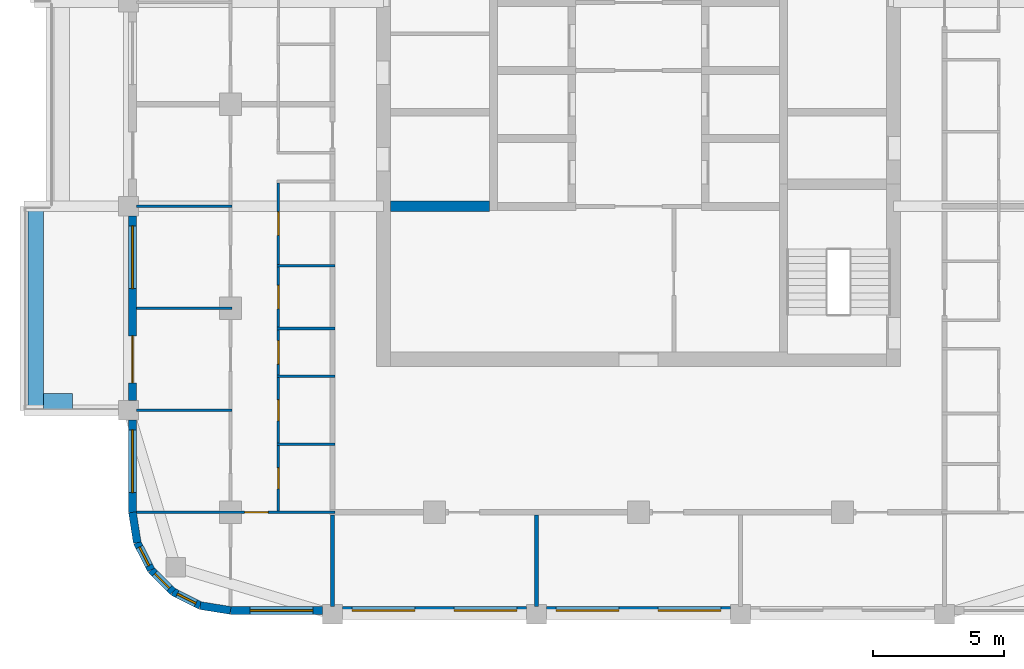
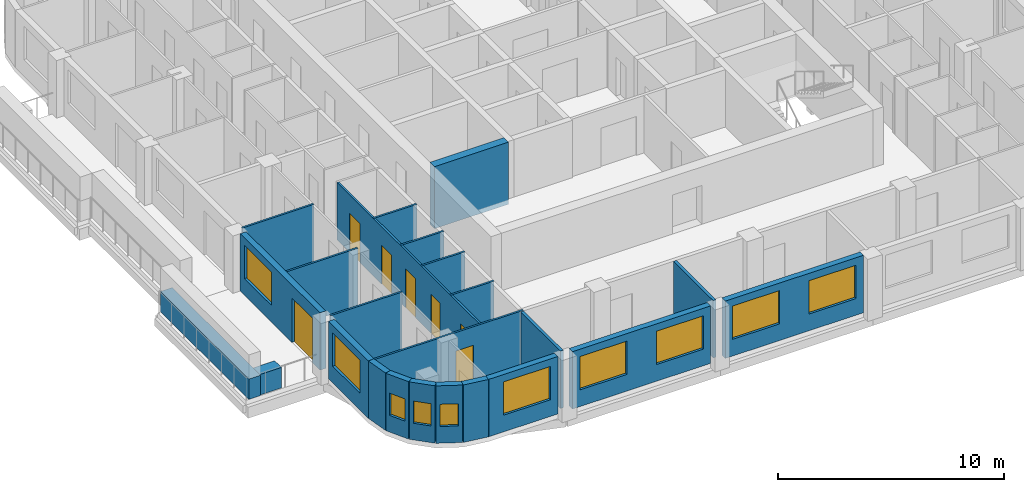
# One storey, part 2 of 13: 24 walls, 10 windows, 7 doors, 17 openings.
"""IFC4 building model written with IfcOpenShell, lengths in metres."""

from ifc_helpers import new_model, si_unit, direction, frame, frame_2d, origin, place, context, subcontext, project, spatial, rectangle, extrude, material, layer, layer_set, type_object, element, fill, save


model = new_model("IFC4")

# Units and contexts
model_context = context("Model", 3, precision=1e-05, world=origin(), true_north=direction((0.0, 1.0)))
body_context = subcontext(model_context, "Body", "Model", "MODEL_VIEW")
ifc_project = project(units=[si_unit("LENGTHUNIT", "METRE"), si_unit("AREAUNIT", "SQUARE_METRE"), si_unit("VOLUMEUNIT", "CUBIC_METRE"), si_unit("PLANEANGLEUNIT", "RADIAN"), si_unit("MASSUNIT", "GRAM", prefix="KILO")], contexts=[model_context])

# Site, building, storey
site_placement = place(None, origin())
site = spatial("IfcSite", under=ifc_project, at=site_placement, CompositionType="ELEMENT")
building_placement = place(site_placement, origin())
building = spatial("IfcBuilding", under=site, at=building_placement, Name="Ludao Terraces", CompositionType="ELEMENT")
storey_placement = place(building_placement, frame((0.0, 0.0, 189.39990234375)))
storey = spatial("IfcBuildingStorey", under=building, at=storey_placement, Name="L51", CompositionType="ELEMENT", Elevation=189.39990234375)

# Walls
ifc_material_1 = material(Name="Concrete C40", Category="concrete")
ifc_layer_1 = layer(ifc_material_1, 0.60009765625)
ifc_layer_set_1 = layer_set([ifc_layer_1], Name="ENV Planter trough 600")
wall_type_1 = type_object("IfcWallType", Name="ENV Planter trough 600", PredefinedType="USERDEFINED", material=ifc_layer_set_1)
wall_1_placement = place(storey_placement, frame((61.949951171875, 53.300048828125, 0.0), z_axis=(0.0, 0.0, 1.0), x_axis=(0.0, 1.0, 0.0)))
element("IfcWall", 1, at=wall_1_placement, inside=storey, type_object=wall_type_1, Name="PL-L51-W1", ObjectType="PLANTER", PredefinedType="USERDEFINED", context=body_context, shape_type="SweptSolid", body=[
    extrude(rectangle(XDim=7.800048828125, YDim=0.60009765625, at=frame_2d((3.89990234375, 0.0))), origin(), (0.0, 0.0, 1.0), 1.10009765625),
])
wall_2_placement = place(storey_placement, frame((62.25, 53.64990234375, 0.0), z_axis=(0.0, 0.0, 1.0), x_axis=(1.0, 0.0, 0.0)))
element("IfcWall", 2, at=wall_2_placement, inside=storey, type_object=wall_type_1, Name="PL-L51-W1-SA", ObjectType="PLANTER", PredefinedType="USERDEFINED", context=body_context, shape_type="SweptSolid", body=[
    extrude(rectangle(XDim=1.10009765625, YDim=0.60009765625, at=frame_2d((0.550048828125, 0.0))), origin(), (0.0, 0.0, 1.0), 1.10009765625),
])

# Wall, opening, window
ifc_material_2 = material(Name="Granite cladding", Category="masonry")
ifc_layer_2 = layer(ifc_material_2, 0.0400390625, Category="stone")
ifc_material_3 = material(Name="Mineral wool")
ifc_layer_3 = layer(ifc_material_3, 0.06005859375)
ifc_layer_4 = layer(ifc_material_1, 0.199951171875, Category="concrete")
ifc_layer_set_2 = layer_set([ifc_layer_2, ifc_layer_3, ifc_layer_4], Name="ENV Stone-clad wall 300")
wall_type_2 = type_object("IfcWallType", Name="ENV Stone-clad wall 300", PredefinedType="SOLIDWALL", material=ifc_layer_set_2)
wall_3_placement = place(storey_placement, frame((69.39990234375, 45.64990234375, 0.0), z_axis=(0.0, 0.0, 1.0), x_axis=(1.0, 0.0, 0.0)))
wall_3 = element("IfcWall", 3, at=wall_3_placement, inside=storey, type_object=wall_type_2, Name="EW-L51-S1", PredefinedType="SOLIDWALL", context=body_context, shape_type="SweptSolid", body=[
    extrude(rectangle(XDim=3.525146484375, YDim=0.300048828125, at=frame_2d((1.7626953125, 0.0))), origin(), (0.0, 0.0, 1.0), 3.10009765625),
])
opening_1_placement = place(wall_3_placement, frame((0.75, 0.0, 0.89990234375)))
opening_1 = element("IfcOpeningElement", 4, at=opening_1_placement, cuts=wall_3, Name="Opening W1", PredefinedType="OPENING", context=body_context, shape_type="SweptSolid", body=[
    extrude(rectangle(XDim=2.39990234375, YDim=1.800048828125, at=frame_2d((1.199951171875, 0.89990234375))), frame((0.0, 0.16015625, 0.0), z_axis=(0.0, -1.0, 0.0), x_axis=(1.0, 0.0, 0.0)), (0.0, 0.0, 1.0), 0.320068359375),
])
ifc_material_4 = material(Name="Clear glass in aluminium frame", Category="aluminium")
ifc_layer_5 = layer(ifc_material_4, 0.06005859375)
ifc_layer_set_3 = layer_set([ifc_layer_5], Name="ENV Window W1 2400x1800")
window_type_1 = type_object("IfcWindowType", Name="ENV Window W1 2400x1800", PartitioningType="DOUBLE_PANEL_VERTICAL", PredefinedType="WINDOW", material=ifc_layer_set_3)
window_1_placement = place(opening_1_placement, origin())
window_1 = element("IfcWindow", 5, at=window_1_placement, inside=storey, type_object=window_type_1, Name="W-L51-S1-1", OverallHeight=1.800048828125, OverallWidth=2.39990234375, PartitioningType="DOUBLE_PANEL_VERTICAL", PredefinedType="WINDOW", context=body_context, shape_type="SweptSolid", body=[
    extrude(rectangle(XDim=2.39990234375, YDim=1.800048828125, at=frame_2d((1.199951171875, 0.89990234375))), frame((0.0, 0.030029296875, 0.0), z_axis=(0.0, -1.0, 0.0), x_axis=(1.0, 0.0, 0.0)), (0.0, 0.0, 1.0), 0.06005859375),
])
fill(opening_1, window_1)

# Wall, openings, windows
wall_4_placement = place(storey_placement, frame((73.675048828125, 45.64990234375, 0.0), z_axis=(0.0, 0.0, 1.0), x_axis=(1.0, 0.0, 0.0)))
wall_4 = element("IfcWall", 6, at=wall_4_placement, inside=storey, type_object=wall_type_2, Name="EW-L51-S2", PredefinedType="SOLIDWALL", context=body_context, shape_type="SweptSolid", body=[
    extrude(rectangle(XDim=7.050048828125, YDim=0.300048828125, at=frame_2d((3.52490234375, 0.0))), origin(), (0.0, 0.0, 1.0), 3.10009765625),
])
opening_2_placement = place(wall_4_placement, frame((0.375, 0.0, 0.89990234375)))
opening_2 = element("IfcOpeningElement", 7, at=opening_2_placement, cuts=wall_4, Name="Opening W1", PredefinedType="OPENING", context=body_context, shape_type="SweptSolid", body=[
    extrude(rectangle(XDim=2.39990234375, YDim=1.800048828125, at=frame_2d((1.199951171875, 0.89990234375))), frame((0.0, 0.16015625, 0.0), z_axis=(0.0, -1.0, 0.0), x_axis=(1.0, 0.0, 0.0)), (0.0, 0.0, 1.0), 0.320068359375),
])
opening_3_placement = place(wall_4_placement, frame((4.27490234375, 0.0, 0.89990234375)))
opening_3 = element("IfcOpeningElement", 8, at=opening_3_placement, cuts=wall_4, Name="Opening W1", PredefinedType="OPENING", context=body_context, shape_type="SweptSolid", body=[
    extrude(rectangle(XDim=2.39990234375, YDim=1.800048828125, at=frame_2d((1.199951171875, 0.89990234375))), frame((0.0, 0.16015625, 0.0), z_axis=(0.0, -1.0, 0.0), x_axis=(1.0, 0.0, 0.0)), (0.0, 0.0, 1.0), 0.320068359375),
])
window_2_placement = place(opening_2_placement, origin())
window_2 = element("IfcWindow", 9, at=window_2_placement, inside=storey, type_object=window_type_1, Name="W-L51-S2-1", OverallHeight=1.800048828125, OverallWidth=2.39990234375, PartitioningType="DOUBLE_PANEL_VERTICAL", PredefinedType="WINDOW", context=body_context, shape_type="SweptSolid", body=[
    extrude(rectangle(XDim=2.39990234375, YDim=1.800048828125, at=frame_2d((1.199951171875, 0.89990234375))), frame((0.0, 0.030029296875, 0.0), z_axis=(0.0, -1.0, 0.0), x_axis=(1.0, 0.0, 0.0)), (0.0, 0.0, 1.0), 0.06005859375),
])
fill(opening_2, window_2)
window_3_placement = place(opening_3_placement, origin())
window_3 = element("IfcWindow", 10, at=window_3_placement, inside=storey, type_object=window_type_1, Name="W-L51-S2-2", OverallHeight=1.800048828125, OverallWidth=2.39990234375, PartitioningType="DOUBLE_PANEL_VERTICAL", PredefinedType="WINDOW", context=body_context, shape_type="SweptSolid", body=[
    extrude(rectangle(XDim=2.39990234375, YDim=1.800048828125, at=frame_2d((1.199951171875, 0.89990234375))), frame((0.0, 0.030029296875, 0.0), z_axis=(0.0, -1.0, 0.0), x_axis=(1.0, 0.0, 0.0)), (0.0, 0.0, 1.0), 0.06005859375),
])
fill(opening_3, window_3)

wall_5_placement = place(storey_placement, frame((81.47509765625, 45.64990234375, 0.0), z_axis=(0.0, 0.0, 1.0), x_axis=(1.0, 0.0, 0.0)))
wall_5 = element("IfcWall", 11, at=wall_5_placement, inside=storey, type_object=wall_type_2, Name="EW-L51-S3", PredefinedType="SOLIDWALL", context=body_context, shape_type="SweptSolid", body=[
    extrude(rectangle(XDim=7.0498046875, YDim=0.300048828125, at=frame_2d((3.52490234375, 0.0))), origin(), (0.0, 0.0, 1.0), 3.10009765625),
])
opening_4_placement = place(wall_5_placement, frame((0.375, 0.0, 0.89990234375)))
opening_4 = element("IfcOpeningElement", 12, at=opening_4_placement, cuts=wall_5, Name="Opening W1", PredefinedType="OPENING", context=body_context, shape_type="SweptSolid", body=[
    extrude(rectangle(XDim=2.39990234375, YDim=1.800048828125, at=frame_2d((1.199951171875, 0.89990234375))), frame((0.0, 0.16015625, 0.0), z_axis=(0.0, -1.0, 0.0), x_axis=(1.0, 0.0, 0.0)), (0.0, 0.0, 1.0), 0.320068359375),
])
opening_5_placement = place(wall_5_placement, frame((4.27490234375, 0.0, 0.89990234375)))
opening_5 = element("IfcOpeningElement", 13, at=opening_5_placement, cuts=wall_5, Name="Opening W1", PredefinedType="OPENING", context=body_context, shape_type="SweptSolid", body=[
    extrude(rectangle(XDim=2.39990234375, YDim=1.800048828125, at=frame_2d((1.199951171875, 0.89990234375))), frame((0.0, 0.16015625, 0.0), z_axis=(0.0, -1.0, 0.0), x_axis=(1.0, 0.0, 0.0)), (0.0, 0.0, 1.0), 0.320068359375),
])
window_4_placement = place(opening_4_placement, origin())
window_4 = element("IfcWindow", 14, at=window_4_placement, inside=storey, type_object=window_type_1, Name="W-L51-S3-1", OverallHeight=1.800048828125, OverallWidth=2.39990234375, PartitioningType="DOUBLE_PANEL_VERTICAL", PredefinedType="WINDOW", context=body_context, shape_type="SweptSolid", body=[
    extrude(rectangle(XDim=2.39990234375, YDim=1.800048828125, at=frame_2d((1.199951171875, 0.89990234375))), frame((0.0, 0.030029296875, 0.0), z_axis=(0.0, -1.0, 0.0), x_axis=(1.0, 0.0, 0.0)), (0.0, 0.0, 1.0), 0.06005859375),
])
fill(opening_4, window_4)
window_5_placement = place(opening_5_placement, origin())
window_5 = element("IfcWindow", 15, at=window_5_placement, inside=storey, type_object=window_type_1, Name="W-L51-S3-2", OverallHeight=1.800048828125, OverallWidth=2.39990234375, PartitioningType="DOUBLE_PANEL_VERTICAL", PredefinedType="WINDOW", context=body_context, shape_type="SweptSolid", body=[
    extrude(rectangle(XDim=2.39990234375, YDim=1.800048828125, at=frame_2d((1.199951171875, 0.89990234375))), frame((0.0, 0.030029296875, 0.0), z_axis=(0.0, -1.0, 0.0), x_axis=(1.0, 0.0, 0.0)), (0.0, 0.0, 1.0), 0.06005859375),
])
fill(opening_5, window_5)

# Wall, opening, window
wall_6_placement = place(storey_placement, frame((65.64990234375, 49.39990234375, 0.0), z_axis=(0.0, 0.0, 1.0), x_axis=(0.0, 1.0, 0.0)))
wall_6 = element("IfcWall", 16, at=wall_6_placement, inside=storey, type_object=wall_type_2, Name="EW-L51-W1", PredefinedType="SOLIDWALL", context=body_context, shape_type="SweptSolid", body=[
    extrude(rectangle(XDim=3.525146484375, YDim=0.300048828125, at=frame_2d((1.7626953125, 0.0))), origin(), (0.0, 0.0, 1.0), 3.10009765625),
])
opening_6_placement = place(wall_6_placement, frame((0.75, 0.0, 0.89990234375)))
opening_6 = element("IfcOpeningElement", 17, at=opening_6_placement, cuts=wall_6, Name="Opening W1", PredefinedType="OPENING", context=body_context, shape_type="SweptSolid", body=[
    extrude(rectangle(XDim=2.39990234375, YDim=1.800048828125, at=frame_2d((1.199951171875, 0.89990234375))), frame((0.0, 0.16015625, 0.0), z_axis=(0.0, -1.0, 0.0), x_axis=(1.0, 0.0, 0.0)), (0.0, 0.0, 1.0), 0.320068359375),
])
window_6_placement = place(opening_6_placement, origin())
window_6 = element("IfcWindow", 18, at=window_6_placement, inside=storey, type_object=window_type_1, Name="W-L51-W1-1", OverallHeight=1.800048828125, OverallWidth=2.39990234375, PartitioningType="DOUBLE_PANEL_VERTICAL", PredefinedType="WINDOW", context=body_context, shape_type="SweptSolid", body=[
    extrude(rectangle(XDim=2.39990234375, YDim=1.800048828125, at=frame_2d((1.199951171875, 0.89990234375))), frame((0.0, 0.030029296875, 0.0), z_axis=(0.0, -1.0, 0.0), x_axis=(1.0, 0.0, 0.0)), (0.0, 0.0, 1.0), 0.06005859375),
])
fill(opening_6, window_6)

# Wall, openings, door, window
wall_7_placement = place(storey_placement, frame((65.64990234375, 53.675048828125, 0.0), z_axis=(0.0, 0.0, 1.0), x_axis=(0.0, 1.0, 0.0)))
wall_7 = element("IfcWall", 19, at=wall_7_placement, inside=storey, type_object=wall_type_2, Name="EW-L51-W2", PredefinedType="SOLIDWALL", context=body_context, shape_type="SweptSolid", body=[
    extrude(rectangle(XDim=7.050048828125, YDim=0.300048828125, at=frame_2d((3.52490234375, 0.0))), origin(), (0.0, 0.0, 1.0), 3.10009765625),
])
opening_7_placement = place(wall_7_placement, frame((0.675048828125, 0.0, 0.0)))
opening_7 = element("IfcOpeningElement", 20, at=opening_7_placement, cuts=wall_7, Name="Opening BD", PredefinedType="OPENING", context=body_context, shape_type="SweptSolid", body=[
    extrude(rectangle(XDim=1.800048828125, YDim=2.39990234375, at=frame_2d((0.89990234375, 1.199951171875))), frame((0.0, 0.16015625, 0.0), z_axis=(0.0, -1.0, 0.0), x_axis=(1.0, 0.0, 0.0)), (0.0, 0.0, 1.0), 0.320068359375),
])
opening_8_placement = place(wall_7_placement, frame((4.27490234375, 0.0, 0.89990234375)))
opening_8 = element("IfcOpeningElement", 21, at=opening_8_placement, cuts=wall_7, Name="Opening W1", PredefinedType="OPENING", context=body_context, shape_type="SweptSolid", body=[
    extrude(rectangle(XDim=2.39990234375, YDim=1.800048828125, at=frame_2d((1.199951171875, 0.89990234375))), frame((0.0, 0.16015625, 0.0), z_axis=(0.0, -1.0, 0.0), x_axis=(1.0, 0.0, 0.0)), (0.0, 0.0, 1.0), 0.320068359375),
])
ifc_material_5 = material(Name="Aluminium glazed door", Category="aluminium")
ifc_layer_6 = layer(ifc_material_5, 0.06005859375)
ifc_layer_set_4 = layer_set([ifc_layer_6], Name="ENV Balcony door BD 1800x2400")
door_type_1 = type_object("IfcDoorType", Name="ENV Balcony door BD 1800x2400", OperationType="DOUBLE_DOOR_SINGLE_SWING", PredefinedType="DOOR", material=ifc_layer_set_4)
door_1_placement = place(opening_7_placement, origin())
door_1 = element("IfcDoor", 22, at=door_1_placement, inside=storey, type_object=door_type_1, Name="BD-L51-W2-1", OperationType="DOUBLE_DOOR_SINGLE_SWING", OverallHeight=2.39990234375, OverallWidth=1.800048828125, PredefinedType="DOOR", context=body_context, shape_type="SweptSolid", body=[
    extrude(rectangle(XDim=1.800048828125, YDim=2.39990234375, at=frame_2d((0.89990234375, 1.199951171875))), frame((0.0, 0.02490234375, 0.0), z_axis=(0.0, -1.0, 0.0), x_axis=(1.0, 0.0, 0.0)), (0.0, 0.0, 1.0), 0.050048828125),
])
fill(opening_7, door_1)
window_7_placement = place(opening_8_placement, origin())
window_7 = element("IfcWindow", 23, at=window_7_placement, inside=storey, type_object=window_type_1, Name="W-L51-W2-2", OverallHeight=1.800048828125, OverallWidth=2.39990234375, PartitioningType="DOUBLE_PANEL_VERTICAL", PredefinedType="WINDOW", context=body_context, shape_type="SweptSolid", body=[
    extrude(rectangle(XDim=2.39990234375, YDim=1.800048828125, at=frame_2d((1.199951171875, 0.89990234375))), frame((0.0, 0.030029296875, 0.0), z_axis=(0.0, -1.0, 0.0), x_axis=(1.0, 0.0, 0.0)), (0.0, 0.0, 1.0), 0.06005859375),
])
fill(opening_8, window_7)

# Wall
wall_8_placement = place(storey_placement, frame((65.64990234375, 49.39990234375, 0.0), z_axis=(0.0, 0.0, 1.0), x_axis=(0.156496880861, -0.987678452879, 0.0)))
element("IfcWall", 24, at=wall_8_placement, inside=storey, type_object=wall_type_2, Name="EW-L51-SW1", PredefinedType="SOLIDWALL", context=body_context, shape_type="SweptSolid", body=[
    extrude(rectangle(XDim=1.173095703125, YDim=0.300048828125, at=frame_2d((0.58642578125, 0.0))), origin(), (0.0, 0.0, 1.0), 3.10009765625),
])

# Wall, opening, window
wall_9_placement = place(storey_placement, frame((65.83349609375, 48.2412109375, 0.0), z_axis=(0.0, 0.0, 1.0), x_axis=(0.454025524128, -0.890988677504, 0.0)))
wall_9 = element("IfcWall", 25, at=wall_9_placement, inside=storey, type_object=wall_type_2, Name="EW-L51-SW2", PredefinedType="SOLIDWALL", context=body_context, shape_type="SweptSolid", body=[
    extrude(rectangle(XDim=1.17333984375, YDim=0.300048828125, at=frame_2d((0.586669921875, 0.0))), origin(), (0.0, 0.0, 1.0), 3.10009765625),
])
opening_9_placement = place(wall_9_placement, frame((0.1865234375, 0.0, 0.89990234375)))
opening_9 = element("IfcOpeningElement", 26, at=opening_9_placement, cuts=wall_9, Name="Opening W3", PredefinedType="OPENING", context=body_context, shape_type="SweptSolid", body=[
    extrude(rectangle(XDim=0.800048828125, YDim=1.199951171875, at=frame_2d((0.39990234375, 0.60009765625))), frame((0.0, 0.16015625, 0.0), z_axis=(0.0, -1.0, 0.0), x_axis=(1.0, 0.0, 0.0)), (0.0, 0.0, 1.0), 0.320068359375),
])
ifc_layer_7 = layer(ifc_material_4, 0.06005859375)
ifc_layer_set_5 = layer_set([ifc_layer_7], Name="ENV Window W3 800x1200")
window_type_2 = type_object("IfcWindowType", Name="ENV Window W3 800x1200", PartitioningType="SINGLE_PANEL", PredefinedType="WINDOW", material=ifc_layer_set_5)
window_8_placement = place(opening_9_placement, origin())
window_8 = element("IfcWindow", 27, at=window_8_placement, inside=storey, type_object=window_type_2, Name="W-L51-SW2", OverallHeight=1.199951171875, OverallWidth=0.800048828125, PartitioningType="SINGLE_PANEL", PredefinedType="WINDOW", context=body_context, shape_type="SweptSolid", body=[
    extrude(rectangle(XDim=0.800048828125, YDim=1.199951171875, at=frame_2d((0.39990234375, 0.60009765625))), frame((0.0, 0.030029296875, 0.0), z_axis=(0.0, -1.0, 0.0), x_axis=(1.0, 0.0, 0.0)), (0.0, 0.0, 1.0), 0.06005859375),
])
fill(opening_9, window_8)

wall_10_placement = place(storey_placement, frame((66.3662109375, 47.19580078125, 0.0), z_axis=(0.0, 0.0, 1.0), x_axis=(0.707106781187, -0.707106781187, 0.0)))
wall_10 = element("IfcWall", 28, at=wall_10_placement, inside=storey, type_object=wall_type_2, Name="EW-L51-SW3", PredefinedType="SOLIDWALL", context=body_context, shape_type="SweptSolid", body=[
    extrude(rectangle(XDim=1.173095703125, YDim=0.300048828125, at=frame_2d((0.58642578125, 0.0))), origin(), (0.0, 0.0, 1.0), 3.10009765625),
])
opening_10_placement = place(wall_10_placement, frame((0.1865234375, 0.0, 0.89990234375)))
opening_10 = element("IfcOpeningElement", 29, at=opening_10_placement, cuts=wall_10, Name="Opening W3", PredefinedType="OPENING", context=body_context, shape_type="SweptSolid", body=[
    extrude(rectangle(XDim=0.800048828125, YDim=1.199951171875, at=frame_2d((0.39990234375, 0.60009765625))), frame((0.0, 0.16015625, 0.0), z_axis=(0.0, -1.0, 0.0), x_axis=(1.0, 0.0, 0.0)), (0.0, 0.0, 1.0), 0.320068359375),
])
window_9_placement = place(opening_10_placement, origin())
window_9 = element("IfcWindow", 30, at=window_9_placement, inside=storey, type_object=window_type_2, Name="W-L51-SW3", OverallHeight=1.199951171875, OverallWidth=0.800048828125, PartitioningType="SINGLE_PANEL", PredefinedType="WINDOW", context=body_context, shape_type="SweptSolid", body=[
    extrude(rectangle(XDim=0.800048828125, YDim=1.199951171875, at=frame_2d((0.39990234375, 0.60009765625))), frame((0.0, 0.030029296875, 0.0), z_axis=(0.0, -1.0, 0.0), x_axis=(1.0, 0.0, 0.0)), (0.0, 0.0, 1.0), 0.06005859375),
])
fill(opening_10, window_9)

wall_11_placement = place(storey_placement, frame((67.19580078125, 46.3662109375, 0.0), z_axis=(0.0, 0.0, 1.0), x_axis=(0.890988677504, -0.454025524128, 0.0)))
wall_11 = element("IfcWall", 31, at=wall_11_placement, inside=storey, type_object=wall_type_2, Name="EW-L51-SW4", PredefinedType="SOLIDWALL", context=body_context, shape_type="SweptSolid", body=[
    extrude(rectangle(XDim=1.17333984375, YDim=0.300048828125, at=frame_2d((0.586669921875, 0.0))), origin(), (0.0, 0.0, 1.0), 3.10009765625),
])
opening_11_placement = place(wall_11_placement, frame((0.1865234375, 0.0, 0.89990234375)))
opening_11 = element("IfcOpeningElement", 32, at=opening_11_placement, cuts=wall_11, Name="Opening W3", PredefinedType="OPENING", context=body_context, shape_type="SweptSolid", body=[
    extrude(rectangle(XDim=0.800048828125, YDim=1.199951171875, at=frame_2d((0.39990234375, 0.60009765625))), frame((0.0, 0.16015625, 0.0), z_axis=(0.0, -1.0, 0.0), x_axis=(1.0, 0.0, 0.0)), (0.0, 0.0, 1.0), 0.320068359375),
])
window_10_placement = place(opening_11_placement, origin())
window_10 = element("IfcWindow", 33, at=window_10_placement, inside=storey, type_object=window_type_2, Name="W-L51-SW4", OverallHeight=1.199951171875, OverallWidth=0.800048828125, PartitioningType="SINGLE_PANEL", PredefinedType="WINDOW", context=body_context, shape_type="SweptSolid", body=[
    extrude(rectangle(XDim=0.800048828125, YDim=1.199951171875, at=frame_2d((0.39990234375, 0.60009765625))), frame((0.0, 0.030029296875, 0.0), z_axis=(0.0, -1.0, 0.0), x_axis=(1.0, 0.0, 0.0)), (0.0, 0.0, 1.0), 0.06005859375),
])
fill(opening_11, window_10)

# Wall
wall_12_placement = place(storey_placement, frame((68.2412109375, 45.83349609375, 0.0), z_axis=(0.0, 0.0, 1.0), x_axis=(0.987678452879, -0.156496880861, 0.0)))
element("IfcWall", 34, at=wall_12_placement, inside=storey, type_object=wall_type_2, Name="EW-L51-SW5", PredefinedType="SOLIDWALL", context=body_context, shape_type="SweptSolid", body=[
    extrude(rectangle(XDim=1.173095703125, YDim=0.300048828125, at=frame_2d((0.58642578125, 0.0))), origin(), (0.0, 0.0, 1.0), 3.10009765625),
])

# Wall, opening, door
ifc_material_6 = material(Name="Gypsum plasterboard", Category="gypsum")
ifc_layer_8 = layer(ifc_material_6, 0.012451171875, Category="gypsum")
ifc_layer_9 = layer(ifc_material_3, 0.06005859375, Name="insulation")
ifc_material_7 = material(Name="Steel Q235", Category="steel")
ifc_layer_10 = layer(ifc_material_7, 0.014892578125, Name="stud")
ifc_layer_11 = layer(ifc_material_6, 0.012451171875, Category="gypsum")
ifc_layer_set_6 = layer_set([ifc_layer_8, ifc_layer_9, ifc_layer_10, ifc_layer_11], Name="INT Partition 100")
wall_type_3 = type_object("IfcWallType", Name="INT Partition 100", PredefinedType="PARTITIONING", material=ifc_layer_set_6)
wall_13_placement = place(storey_placement, frame((65.800048828125, 49.39990234375, 0.0), z_axis=(0.0, 0.0, 1.0), x_axis=(1.0, 0.0, 0.0)))
wall_13 = element("IfcWall", 35, at=wall_13_placement, inside=storey, type_object=wall_type_3, Name="PW-L51-PW000", PredefinedType="PARTITIONING", context=body_context, shape_type="SweptSolid", body=[
    extrude(rectangle(XDim=7.60009765625, YDim=0.10009765625, at=frame_2d((3.800048828125, 0.0))), origin(), (0.0, 0.0, 1.0), 3.10009765625),
])
opening_12_placement = place(wall_13_placement, frame((4.139892578125, 0.0, 0.0)))
opening_12 = element("IfcOpeningElement", 36, at=opening_12_placement, cuts=wall_13, Name="Opening R18-003", PredefinedType="OPENING", context=body_context, shape_type="SweptSolid", body=[
    extrude(rectangle(XDim=0.89990234375, YDim=2.10009765625, at=frame_2d((0.449951171875, 1.050048828125))), frame((0.0, 0.06005859375, 0.0), z_axis=(0.0, -1.0, 0.0), x_axis=(1.0, 0.0, 0.0)), (0.0, 0.0, 1.0), 0.1201171875),
])
ifc_material_8 = material(Name="Timber door leaf", Category="wood")
door_type_2 = type_object("IfcDoorType", Name="INT Room door 900", OperationType="SINGLE_SWING_LEFT", PredefinedType="DOOR", material=ifc_material_8)
door_2_placement = place(opening_12_placement, origin())
door_2 = element("IfcDoor", 37, at=door_2_placement, inside=storey, type_object=door_type_2, Name="DOOR 003", OperationType="SINGLE_SWING_RIGHT", OverallHeight=2.10009765625, OverallWidth=0.89990234375, PredefinedType="DOOR", context=body_context, shape_type="SweptSolid", body=[
    extrude(rectangle(XDim=0.89990234375, YDim=2.10009765625, at=frame_2d((0.449951171875, 1.050048828125))), frame((0.0, 0.02490234375, 0.0), z_axis=(0.0, -1.0, 0.0), x_axis=(1.0, 0.0, 0.0)), (0.0, 0.0, 1.0), 0.050048828125),
])
fill(opening_12, door_2)

# Walls
wall_14_placement = place(storey_placement, frame((71.18017578125, 52.0, 0.0), z_axis=(0.0, 0.0, 1.0), x_axis=(1.0, 0.0, 0.0)))
element("IfcWall", 38, at=wall_14_placement, inside=storey, type_object=wall_type_3, Name="PW-L51-PW004", PredefinedType="PARTITIONING", context=body_context, shape_type="SweptSolid", body=[
    extrude(rectangle(XDim=2.219970703125, YDim=0.10009765625, at=frame_2d((1.10986328125, 0.0))), origin(), (0.0, 0.0, 1.0), 3.10009765625),
])
wall_15_placement = place(storey_placement, frame((65.800048828125, 53.300048828125, 0.0), z_axis=(0.0, 0.0, 1.0), x_axis=(1.0, 0.0, 0.0)))
element("IfcWall", 39, at=wall_15_placement, inside=storey, type_object=wall_type_3, Name="PW-L51-PW006", PredefinedType="PARTITIONING", context=body_context, shape_type="SweptSolid", body=[
    extrude(rectangle(XDim=3.650146484375, YDim=0.10009765625, at=frame_2d((1.8251953125, 0.0))), origin(), (0.0, 0.0, 1.0), 3.10009765625),
])
for number, where, z_axis, x_axis, name in (
    (40, (71.18017578125, 54.60009765625, 0.0), (0.0, 0.0, 1.0), (1.0, 0.0, 0.0), "PW-L51-PW008"),
    (41, (71.18017578125, 56.429931640625, 0.0), (0.0, 0.0, 1.0), (1.0, 0.0, 0.0), "PW-L51-PW010"),
):
    element("IfcWall", number, at=place(storey_placement, frame(where, z_axis=z_axis, x_axis=x_axis)), inside=storey, type_object=wall_type_3, Name=name, PredefinedType="PARTITIONING", context=body_context, shape_type="SweptSolid", body=[
        extrude(rectangle(XDim=2.219970703125, YDim=0.10009765625, at=frame_2d((1.10986328125, 0.0))), origin(), (0.0, 0.0, 1.0), 3.10009765625),
    ])
wall_16_placement = place(storey_placement, frame((65.800048828125, 57.199951171875, 0.0), z_axis=(0.0, 0.0, 1.0), x_axis=(1.0, 0.0, 0.0)))
element("IfcWall", 42, at=wall_16_placement, inside=storey, type_object=wall_type_3, Name="PW-L51-PW012", PredefinedType="PARTITIONING", context=body_context, shape_type="SweptSolid", body=[
    extrude(rectangle(XDim=3.650146484375, YDim=0.10009765625, at=frame_2d((1.8251953125, 0.0))), origin(), (0.0, 0.0, 1.0), 3.10009765625),
])
wall_17_placement = place(storey_placement, frame((71.18017578125, 58.830078125, 0.0), z_axis=(0.0, 0.0, 1.0), x_axis=(1.0, 0.0, 0.0)))
element("IfcWall", 43, at=wall_17_placement, inside=storey, type_object=wall_type_3, Name="PW-L51-PW014", PredefinedType="PARTITIONING", context=body_context, shape_type="SweptSolid", body=[
    extrude(rectangle(XDim=2.219970703125, YDim=0.10009765625, at=frame_2d((1.10986328125, 0.0))), origin(), (0.0, 0.0, 1.0), 3.10009765625),
])
wall_18_placement = place(storey_placement, frame((65.800048828125, 61.10009765625, 0.0), z_axis=(0.0, 0.0, 1.0), x_axis=(1.0, 0.0, 0.0)))
element("IfcWall", 44, at=wall_18_placement, inside=storey, type_object=wall_type_3, Name="PW-L51-PW016", PredefinedType="PARTITIONING", context=body_context, shape_type="SweptSolid", body=[
    extrude(rectangle(XDim=3.650146484375, YDim=0.10009765625, at=frame_2d((1.8251953125, 0.0))), origin(), (0.0, 0.0, 1.0), 3.10009765625),
])

# Wall, openings, doors
wall_19_placement = place(storey_placement, frame((71.22998046875, 49.4501953125, 0.0), z_axis=(0.0, 0.0, 1.0), x_axis=(0.0, 1.0, 0.0)))
wall_19 = element("IfcWall", 45, at=wall_19_placement, inside=storey, type_object=wall_type_3, Name="PW-L51-PW050", PredefinedType="PARTITIONING", context=body_context, shape_type="SweptSolid", body=[
    extrude(rectangle(XDim=12.5498046875, YDim=0.10009765625, at=frame_2d((6.27490234375, 0.0))), origin(), (0.0, 0.0, 1.0), 3.10009765625),
])
opening_13_placement = place(wall_19_placement, frame((0.849853515625, 0.0, 0.0)))
opening_13 = element("IfcOpeningElement", 46, at=opening_13_placement, cuts=wall_19, Name="Opening R18-009", PredefinedType="OPENING", context=body_context, shape_type="SweptSolid", body=[
    extrude(rectangle(XDim=0.800048828125, YDim=2.10009765625, at=frame_2d((0.39990234375, 1.050048828125))), frame((0.0, 0.06005859375, 0.0), z_axis=(0.0, -1.0, 0.0), x_axis=(1.0, 0.0, 0.0)), (0.0, 0.0, 1.0), 0.1201171875),
])
opening_14_placement = place(wall_19_placement, frame((3.449951171875, 0.0, 0.0)))
opening_14 = element("IfcOpeningElement", 47, at=opening_14_placement, cuts=wall_19, Name="Opening R18-013", PredefinedType="OPENING", context=body_context, shape_type="SweptSolid", body=[
    extrude(rectangle(XDim=0.800048828125, YDim=2.10009765625, at=frame_2d((0.39990234375, 1.050048828125))), frame((0.0, 0.06005859375, 0.0), z_axis=(0.0, -1.0, 0.0), x_axis=(1.0, 0.0, 0.0)), (0.0, 0.0, 1.0), 0.1201171875),
])
opening_15_placement = place(wall_19_placement, frame((5.614990234375, 0.0, 0.0)))
opening_15 = element("IfcOpeningElement", 48, at=opening_15_placement, cuts=wall_19, Name="Opening R18-018", PredefinedType="OPENING", context=body_context, shape_type="SweptSolid", body=[
    extrude(rectangle(XDim=0.89990234375, YDim=2.10009765625, at=frame_2d((0.449951171875, 1.050048828125))), frame((0.0, 0.06005859375, 0.0), z_axis=(0.0, -1.0, 0.0), x_axis=(1.0, 0.0, 0.0)), (0.0, 0.0, 1.0), 0.1201171875),
])
opening_16_placement = place(wall_19_placement, frame((7.72998046875, 0.0, 0.0)))
opening_16 = element("IfcOpeningElement", 49, at=opening_16_placement, cuts=wall_19, Name="Opening R18-021", PredefinedType="OPENING", context=body_context, shape_type="SweptSolid", body=[
    extrude(rectangle(XDim=0.89990234375, YDim=2.10009765625, at=frame_2d((0.449951171875, 1.050048828125))), frame((0.0, 0.06005859375, 0.0), z_axis=(0.0, -1.0, 0.0), x_axis=(1.0, 0.0, 0.0)), (0.0, 0.0, 1.0), 0.1201171875),
])
opening_17_placement = place(wall_19_placement, frame((10.539794921875, 0.0, 0.0)))
opening_17 = element("IfcOpeningElement", 50, at=opening_17_placement, cuts=wall_19, Name="Opening R18-027", PredefinedType="OPENING", context=body_context, shape_type="SweptSolid", body=[
    extrude(rectangle(XDim=0.89990234375, YDim=2.10009765625, at=frame_2d((0.449951171875, 1.050048828125))), frame((0.0, 0.06005859375, 0.0), z_axis=(0.0, -1.0, 0.0), x_axis=(1.0, 0.0, 0.0)), (0.0, 0.0, 1.0), 0.1201171875),
])
door_type_3 = type_object("IfcDoorType", Name="INT Bathroom door 900", OperationType="SINGLE_SWING_LEFT", PredefinedType="DOOR", material=ifc_material_8)
door_3_placement = place(opening_15_placement, origin())
door_3 = element("IfcDoor", 51, at=door_3_placement, inside=storey, type_object=door_type_3, Name="DOOR 018", OperationType="SINGLE_SWING_RIGHT", OverallHeight=2.10009765625, OverallWidth=0.89990234375, PredefinedType="DOOR", context=body_context, shape_type="SweptSolid", body=[
    extrude(rectangle(XDim=0.89990234375, YDim=2.10009765625, at=frame_2d((0.449951171875, 1.050048828125))), frame((0.0, 0.02490234375, 0.0), z_axis=(0.0, -1.0, 0.0), x_axis=(1.0, 0.0, 0.0)), (0.0, 0.0, 1.0), 0.050048828125),
])
fill(opening_15, door_3)
door_4_placement = place(opening_16_placement, origin())
door_4 = element("IfcDoor", 52, at=door_4_placement, inside=storey, type_object=door_type_3, Name="DOOR 021", OperationType="SINGLE_SWING_RIGHT", OverallHeight=2.10009765625, OverallWidth=0.89990234375, PredefinedType="DOOR", context=body_context, shape_type="SweptSolid", body=[
    extrude(rectangle(XDim=0.89990234375, YDim=2.10009765625, at=frame_2d((0.449951171875, 1.050048828125))), frame((0.0, 0.02490234375, 0.0), z_axis=(0.0, -1.0, 0.0), x_axis=(1.0, 0.0, 0.0)), (0.0, 0.0, 1.0), 0.050048828125),
])
fill(opening_16, door_4)
door_5_placement = place(opening_17_placement, origin())
door_5 = element("IfcDoor", 53, at=door_5_placement, inside=storey, type_object=door_type_2, Name="DOOR 027", OperationType="SINGLE_SWING_RIGHT", OverallHeight=2.10009765625, OverallWidth=0.89990234375, PredefinedType="DOOR", context=body_context, shape_type="SweptSolid", body=[
    extrude(rectangle(XDim=0.89990234375, YDim=2.10009765625, at=frame_2d((0.449951171875, 1.050048828125))), frame((0.0, 0.02490234375, 0.0), z_axis=(0.0, -1.0, 0.0), x_axis=(1.0, 0.0, 0.0)), (0.0, 0.0, 1.0), 0.050048828125),
])
fill(opening_17, door_5)
door_type_4 = type_object("IfcDoorType", Name="INT Store door 800", OperationType="SINGLE_SWING_LEFT", PredefinedType="DOOR", material=ifc_material_8)
door_6_placement = place(opening_13_placement, origin())
door_6 = element("IfcDoor", 54, at=door_6_placement, inside=storey, type_object=door_type_4, Name="DOOR 009", OperationType="SINGLE_SWING_RIGHT", OverallHeight=2.10009765625, OverallWidth=0.800048828125, PredefinedType="DOOR", context=body_context, shape_type="SweptSolid", body=[
    extrude(rectangle(XDim=0.800048828125, YDim=2.10009765625, at=frame_2d((0.39990234375, 1.050048828125))), frame((0.0, 0.02490234375, 0.0), z_axis=(0.0, -1.0, 0.0), x_axis=(1.0, 0.0, 0.0)), (0.0, 0.0, 1.0), 0.050048828125),
])
fill(opening_13, door_6)
door_7_placement = place(opening_14_placement, origin())
door_7 = element("IfcDoor", 55, at=door_7_placement, inside=storey, type_object=door_type_4, Name="DOOR 013", OperationType="SINGLE_SWING_LEFT", OverallHeight=2.10009765625, OverallWidth=0.800048828125, PredefinedType="DOOR", context=body_context, shape_type="SweptSolid", body=[
    extrude(rectangle(XDim=0.800048828125, YDim=2.10009765625, at=frame_2d((0.39990234375, 1.050048828125))), frame((0.0, 0.02490234375, 0.0), z_axis=(0.0, -1.0, 0.0), x_axis=(1.0, 0.0, 0.0)), (0.0, 0.0, 1.0), 0.050048828125),
])
fill(opening_14, door_7)

# Walls
ifc_material_9 = material(Name="Autoclaved aerated concrete block B06 A3.5", Category="concrete")
ifc_layer_12 = layer(ifc_material_9, 0.14990234375)
ifc_layer_set_7 = layer_set([ifc_layer_12], Name="INT Party wall 150")
wall_type_4 = type_object("IfcWallType", Name="INT Party wall 150", PredefinedType="PARTITIONING", material=ifc_layer_set_7)
for number, where, z_axis, x_axis, name in (
    (56, (73.300048828125, 45.800048828125, 0.0), (0.0, 0.0, 1.0), (0.0, 1.0, 0.0), "PW-L51-PW053"),
    (57, (81.10009765625, 45.800048828125, 0.0), (0.0, 0.0, 1.0), (0.0, 1.0, 0.0), "PW-L51-PW055"),
):
    element("IfcWall", number, at=place(storey_placement, frame(where, z_axis=z_axis, x_axis=x_axis)), inside=storey, type_object=wall_type_4, Name=name, PredefinedType="PARTITIONING", context=body_context, shape_type="SweptSolid", body=[
        extrude(rectangle(XDim=3.5, YDim=0.14990234375, at=frame_2d((1.75, 0.0))), origin(), (0.0, 0.0, 1.0), 3.10009765625),
    ])
ifc_material_10 = material(Name="Concrete C55", Category="concrete")
ifc_layer_13 = layer(ifc_material_10, 0.39990234375)
ifc_layer_set_8 = layer_set([ifc_layer_13], Name="Shaft wall 400 C55")
wall_type_5 = type_object("IfcWallType", Name="Shaft wall 400 C55", PredefinedType="SOLIDWALL", material=ifc_layer_set_8)
wall_20_placement = place(storey_placement, frame((75.52490234375, 61.10009765625, -0.25), z_axis=(0.0, 0.0, 1.0), x_axis=(1.0, 0.0, 0.0)))
element("IfcWall", 58, at=wall_20_placement, inside=storey, type_object=wall_type_5, Name="Core wall L51 hall-W", PredefinedType="SOLIDWALL", context=body_context, shape_type="SweptSolid", body=[
    extrude(rectangle(XDim=3.775146484375, YDim=0.39990234375, at=frame_2d((1.8876953125, 0.0))), origin(), (0.0, 0.0, 1.0), 3.35009765625),
])

save(model, "model.ifc")
